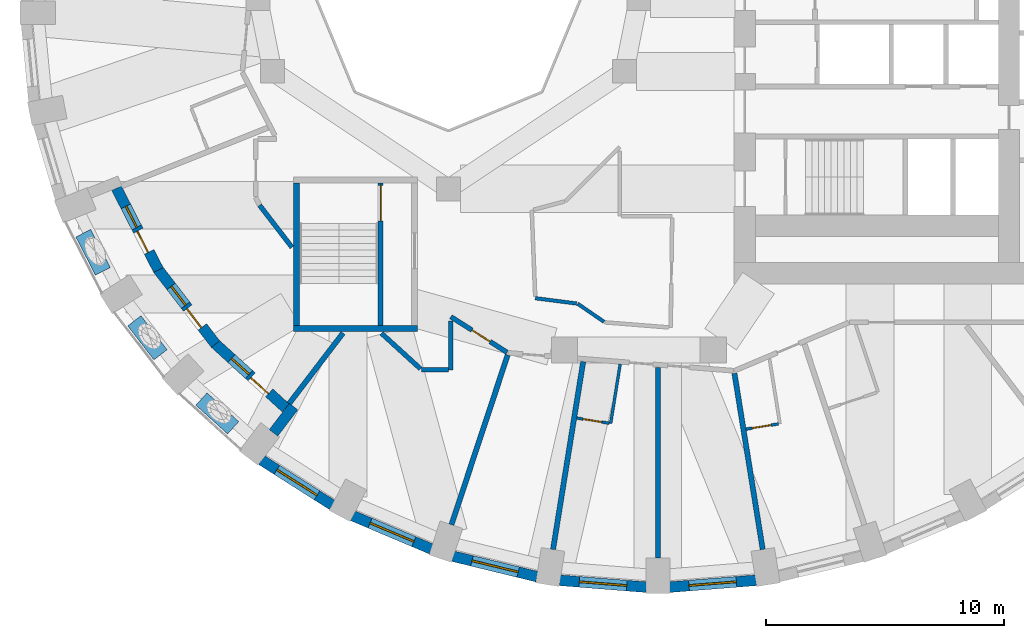
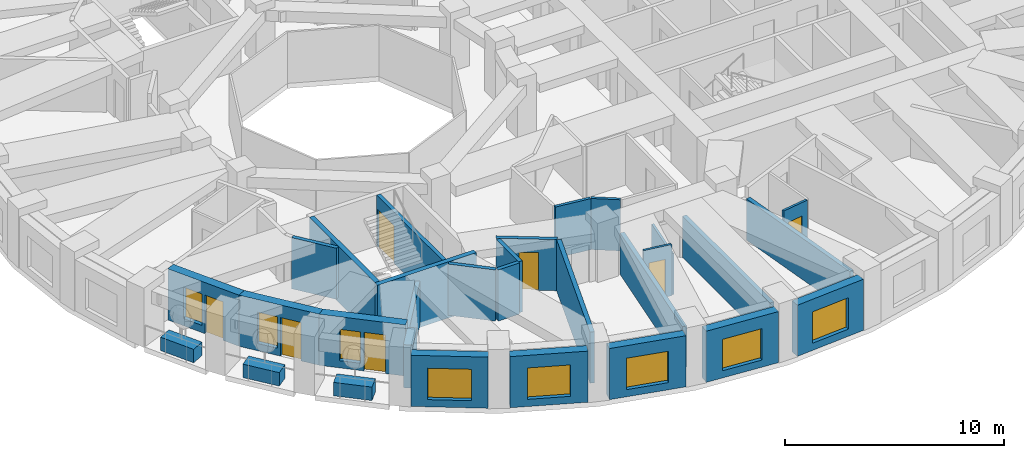
# One storey, part 3 of 12: 30 walls, 8 windows, 7 doors, 15 openings.
"""IFC4 building model written with IfcOpenShell, lengths in metres."""

import ifcopenshell
import ifcopenshell.guid

model = None  # the IFC model being written
_history = None  # IfcOwnerHistory: only IFC2X3 demands one
_inside = {}  # id of a spatial element -> (the spatial element, [elements in it])
_under = {}  # id of a project, library or spatial element -> (it, [spatial elements below it])
_declared = {}  # id of a project -> (the project, [libraries it declares])
_typed = {}  # id of a type object -> (the type object, [elements of that type])
_made_of = {}  # id of a material, layer set ... -> (it, [elements and type objects made of it])


def new_model(schema):
    """Start an empty IFC model of exactly this schema.

    Asked for "IFC4X3", IfcOpenShell would pick the latest addendum, in which some entities
    have other attributes; the version numbers below select the first issue.
    IFC2X3 requires an IfcOwnerHistory on every rooted entity: one is made here for all.
    """
    global model, _history
    if schema == "IFC4X3":
        model = ifcopenshell.file(schema_version=(4, 3, 0, 0))
    else:
        model = ifcopenshell.file(schema=schema)
    _inside.clear()
    _under.clear()
    _declared.clear()
    _typed.clear()
    _made_of.clear()
    _history = None
    if model.schema == "IFC2X3":
        org = make("IfcOrganization", Name="unknown")
        user = make(
            "IfcPersonAndOrganization",
            ThePerson=make("IfcPerson", FamilyName="unknown"),
            TheOrganization=org,
        )
        app = make(
            "IfcApplication",
            ApplicationDeveloper=org,
            Version="unknown",
            ApplicationFullName="unknown",
            ApplicationIdentifier="unknown",
        )
        _history = make(
            "IfcOwnerHistory",
            OwningUser=user,
            OwningApplication=app,
            ChangeAction="ADDED",
            CreationDate=0,
        )
    return model


def make(cls, **values):
    """One entity of the class cls with the attributes given. An attribute that is None is left unset."""
    return model.create_entity(
        cls, **{name: value for name, value in values.items() if value is not None}
    )


def rooted(cls, **values):
    """An entity with a GlobalId (a new one), such as an element, a storey or a relation."""
    return make(cls, GlobalId=ifcopenshell.guid.new(), OwnerHistory=_history, **values)


def si_unit(unit_type, name, prefix=None):
    """IfcSIUnit, for example si_unit("LENGTHUNIT", "METRE", prefix="MILLI")."""
    return make("IfcSIUnit", UnitType=unit_type, Prefix=prefix, Name=name)


def assignment(units):
    """IfcUnitAssignment: the units of a project."""
    return None if units is None else make("IfcUnitAssignment", Units=units)


def point(xyz):
    """IfcCartesianPoint."""
    return None if xyz is None else make("IfcCartesianPoint", Coordinates=xyz)


def direction(xyz):
    """IfcDirection."""
    return None if xyz is None else make("IfcDirection", DirectionRatios=xyz)


def frame(location, z_axis=None, x_axis=None):
    """IfcAxis2Placement3D, a coordinate frame: its origin and axes. An axis left out is left unset."""
    return make(
        "IfcAxis2Placement3D",
        Location=point(location),
        Axis=direction(z_axis),
        RefDirection=direction(x_axis),
    )


def frame_2d(location, x_axis=None):
    """IfcAxis2Placement2D, a coordinate frame in the plane: its origin and x axis."""
    return make(
        "IfcAxis2Placement2D", Location=point(location), RefDirection=direction(x_axis)
    )


def origin():
    """The frame at (0, 0, 0) with its axes left unset."""
    return frame((0.0, 0.0, 0.0))


def place(relative_to, where):
    """IfcLocalPlacement: puts the frame where relative to a parent placement (None: the world)."""
    return make(
        "IfcLocalPlacement", PlacementRelTo=relative_to, RelativePlacement=where
    )


def context(
    kind, dimensions, precision=None, world=None, true_north=None, identifier=None
):
    """IfcGeometricRepresentationContext, for example the 3D "Model" context."""
    return make(
        "IfcGeometricRepresentationContext",
        ContextIdentifier=identifier,
        ContextType=kind,
        CoordinateSpaceDimension=dimensions,
        Precision=precision,
        WorldCoordinateSystem=world,
        TrueNorth=true_north,
    )


def subcontext(parent, identifier, kind, view, scale=None):
    """IfcGeometricRepresentationSubContext, for example "Body" below "Model"."""
    return make(
        "IfcGeometricRepresentationSubContext",
        ContextIdentifier=identifier,
        ContextType=kind,
        ParentContext=parent,
        TargetScale=scale,
        TargetView=view,
    )


def project(units=None, contexts=None):
    """IfcProject with its units and contexts."""
    return rooted(
        "IfcProject",
        Name="project",
        RepresentationContexts=contexts,
        UnitsInContext=assignment(units),
    )


def spatial(cls, under=None, at=None, **own):
    """A site, building, storey or space (cls), placed at a placement, below another one or the project."""
    s = rooted(cls, ObjectPlacement=at, **own)
    if under is not None:
        _under.setdefault(under.id(), (under, []))[1].append(s)
    return s


def profile(cls, at=None, kind="AREA", **sizes):
    """A parametric profile (cls). Its sizes go by their IFC names, for example OverallWidth=200.0."""
    return make(cls, ProfileType=kind, Position=at, **sizes)


def rectangle(**sizes):
    """IfcRectangleProfileDef."""
    return profile("IfcRectangleProfileDef", **sizes)


def extrude(swept, where, along, depth):
    """IfcExtrudedAreaSolid: the profile swept, set in the frame where, extruded along a direction by depth."""
    return make(
        "IfcExtrudedAreaSolid",
        SweptArea=swept,
        Position=where,
        ExtrudedDirection=direction(along),
        Depth=depth,
    )


def shape(context_of_items, identifier, shape_type, items):
    """IfcShapeRepresentation: the items that make up one representation, for example the "Body"."""
    return make(
        "IfcShapeRepresentation",
        ContextOfItems=context_of_items,
        RepresentationIdentifier=identifier,
        RepresentationType=shape_type,
        Items=items,
    )


def material(Name=None, Category=None):
    """IfcMaterial."""
    return make("IfcMaterial", Name=Name, Category=Category)


def layer(
    of_material, thickness, ventilated=None, Name=None, Category=None, Priority=None
):
    """IfcMaterialLayer: one layer of a wall or slab, of a material (None: an air gap)."""
    return make(
        "IfcMaterialLayer",
        Material=of_material,
        LayerThickness=thickness,
        IsVentilated=ventilated,
        Name=Name,
        Category=Category,
        Priority=Priority,
    )


def layer_set(layers, Name=None):
    """IfcMaterialLayerSet."""
    return make("IfcMaterialLayerSet", MaterialLayers=layers, LayerSetName=Name)


def constituent(of_material, Name=None, Category=None, fraction=None):
    """IfcMaterialConstituent: one of the materials an element consists of."""
    return make(
        "IfcMaterialConstituent",
        Name=Name,
        Material=of_material,
        Fraction=fraction,
        Category=Category,
    )


def constituent_set(constituents=None, Name=None):
    """IfcMaterialConstituentSet."""
    return make(
        "IfcMaterialConstituentSet", Name=Name, MaterialConstituents=constituents
    )


def made_of(thing, what):
    """Note that an element or type object is made of a material, layer set ...; save() writes the relation."""
    if what is not None:
        _made_of.setdefault(what.id(), (what, []))[1].append(thing)
    return thing


def type_object(cls, material=None, **own):
    """A type object (cls), such as IfcWallType, which elements share."""
    return made_of(rooted(cls, **own), material)


def element(
    cls,
    number,
    at=None,
    inside=None,
    cuts=None,
    type_object=None,
    material=None,
    context=None,
    identifier="Body",
    shape_type=None,
    held_by="IfcProductDefinitionShape",
    body=None,
    shapes=None,
    **own,
):
    """One element of the class cls, such as IfcWall. Its Tag is "e" and its number.

    at: its placement. inside: the storey or other place that contains it. cuts: it is an
    opening in that element (IfcRelVoidsElement). A single representation is given by context,
    identifier, shape_type and body (its items); several are given by shapes. held_by: the class
    of the entity that holds the representations. save() writes the other relations.
    """
    e = rooted(cls, Tag="e%d" % number, ObjectPlacement=at, **own)
    if body is not None:
        shapes = [shape(context, identifier, shape_type, body)]
    if shapes is not None:
        e.Representation = make(held_by, Representations=shapes)
    if inside is not None:
        _inside.setdefault(inside.id(), (inside, []))[1].append(e)
    if cuts is not None:
        rooted(
            "IfcRelVoidsElement", RelatingBuildingElement=cuts, RelatedOpeningElement=e
        )
    if type_object is not None:
        _typed.setdefault(type_object.id(), (type_object, []))[1].append(e)
    return made_of(e, material)


def fill(opening, filler):
    """IfcRelFillsElement: the door or window that sits in an opening."""
    return rooted(
        "IfcRelFillsElement",
        RelatingOpeningElement=opening,
        RelatedBuildingElement=filler,
    )


def aggregate(whole, parts):
    """IfcRelAggregates: a whole, such as a stair, and the parts it consists of."""
    return rooted("IfcRelAggregates", RelatingObject=whole, RelatedObjects=parts)


def save(model, path):
    """Write the relations noted so far, then the file.

    IfcRelAggregates (storeys below a building ...), IfcRelContainedInSpatialStructure (elements
    in a storey), IfcRelDefinesByType, IfcRelAssociatesMaterial and IfcRelDeclares: one each for
    every whole, place, type object, material and project.
    """
    for whole, parts in _under.values():
        aggregate(whole, parts)
    for where, things in _inside.values():
        rooted(
            "IfcRelContainedInSpatialStructure",
            RelatedElements=things,
            RelatingStructure=where,
        )
    for kind, things in _typed.values():
        rooted("IfcRelDefinesByType", RelatedObjects=things, RelatingType=kind)
    for what, things in _made_of.values():
        rooted("IfcRelAssociatesMaterial", RelatedObjects=things, RelatingMaterial=what)
    for by, libraries in _declared.values():
        rooted("IfcRelDeclares", RelatingContext=by, RelatedDefinitions=libraries)
    model.write(path)


model = new_model("IFC4")

# Units and contexts
model_context = context("Model", 3, precision=1e-05, world=origin(), true_north=direction((0.0, 1.0)))
body_context = subcontext(model_context, "Body", "Model", "MODEL_VIEW")
ifc_project = project(units=[si_unit("LENGTHUNIT", "METRE"), si_unit("AREAUNIT", "SQUARE_METRE"), si_unit("VOLUMEUNIT", "CUBIC_METRE"), si_unit("PLANEANGLEUNIT", "RADIAN"), si_unit("MASSUNIT", "GRAM", prefix="KILO")], contexts=[model_context])

# Site, building, storey
site_placement = place(None, origin())
site = spatial("IfcSite", under=ifc_project, at=site_placement, CompositionType="ELEMENT")
building_placement = place(site_placement, origin())
building = spatial("IfcBuilding", under=site, at=building_placement, Name="Taillehof Tower", CompositionType="ELEMENT")
storey_placement = place(building_placement, frame((0.0, 0.0, 131.800048828125)))
storey = spatial("IfcBuildingStorey", under=building, at=storey_placement, Name="L37", CompositionType="ELEMENT", Elevation=131.800048828125)

# Wall, opening, window
ifc_material_1 = material(Name="Brick masonry", Category="masonry")
ifc_layer_1 = layer(ifc_material_1, 0.449951171875)
ifc_layer_set_1 = layer_set([ifc_layer_1], Name="Brick infill wall 450")
wall_type_1 = type_object("IfcWallType", Name="Brick infill wall 450", PredefinedType="SOLIDWALL", material=ifc_layer_set_1)
wall_1_placement = place(storey_placement, frame((-15.856201171875, -19.39208984375, 0.0), z_axis=(0.0, 0.0, 1.0), x_axis=(0.843891947083, -0.53651317006, 0.0)))
wall_1 = element("IfcWall", 1, at=wall_1_placement, inside=storey, type_object=wall_type_1, Name="Brick wall L37 bay 24", PredefinedType="SOLIDWALL", context=body_context, shape_type="SweptSolid", body=[
    extrude(rectangle(XDim=3.531982421875, YDim=0.449951171875, at=frame_2d((1.76611328125, 0.0))), origin(), (0.0, 0.0, 1.0), 2.849853515625),
])
opening_1_placement = place(wall_1_placement, frame((0.76611328125, 0.0, 0.39990234375)))
opening_1 = element("IfcOpeningElement", 2, at=opening_1_placement, cuts=wall_1, Name="Opening W2", PredefinedType="OPENING", context=body_context, shape_type="SweptSolid", body=[
    extrude(rectangle(XDim=2.0, YDim=1.75, at=frame_2d((1.0, 0.875))), frame((0.0, 0.23486328125, 0.0), z_axis=(0.0, -1.0, 0.0), x_axis=(1.0, 0.0, 0.0)), (0.0, 0.0, 1.0), 0.469970703125),
])
ifc_material_2 = material(Name="Aluminium window frame with clear double glazing", Category="aluminium")
window_type_1 = type_object("IfcWindowType", Name="Deep-set window 2000x1750", PartitioningType="SINGLE_PANEL", PredefinedType="WINDOW", material=ifc_material_2)
window_1_placement = place(opening_1_placement, origin())
window_1 = element("IfcWindow", 3, at=window_1_placement, inside=storey, type_object=window_type_1, Name="W2", OverallHeight=1.75, OverallWidth=2.0, PartitioningType="SINGLE_PANEL", PredefinedType="WINDOW", context=body_context, shape_type="SweptSolid", body=[
    extrude(rectangle(XDim=2.0, YDim=1.75, at=frame_2d((1.0, 0.875))), frame((0.0, 0.034912109375, 0.0), z_axis=(0.0, -1.0, 0.0), x_axis=(1.0, 0.0, 0.0)), (0.0, 0.0, 1.0), 0.06005859375),
])
fill(opening_1, window_1)

wall_2_placement = place(storey_placement, frame((-12.025390625, -21.7333984375, 0.0), z_axis=(0.0, 0.0, 1.0), x_axis=(0.920879975612, -0.389846213932, 0.0)))
wall_2 = element("IfcWall", 4, at=wall_2_placement, inside=storey, type_object=wall_type_1, Name="Brick wall L37 bay 25", PredefinedType="SOLIDWALL", context=body_context, shape_type="SweptSolid", body=[
    extrude(rectangle(XDim=3.591552734375, YDim=0.449951171875, at=frame_2d((1.7958984375, 0.0))), origin(), (0.0, 0.0, 1.0), 2.849853515625),
])
opening_2_placement = place(wall_2_placement, frame((0.795654296875, 0.0, 0.39990234375)))
opening_2 = element("IfcOpeningElement", 5, at=opening_2_placement, cuts=wall_2, Name="Opening W2", PredefinedType="OPENING", context=body_context, shape_type="SweptSolid", body=[
    extrude(rectangle(XDim=2.0, YDim=1.75, at=frame_2d((1.0, 0.875))), frame((0.0, 0.23486328125, 0.0), z_axis=(0.0, -1.0, 0.0), x_axis=(1.0, 0.0, 0.0)), (0.0, 0.0, 1.0), 0.469970703125),
])
window_2_placement = place(opening_2_placement, origin())
window_2 = element("IfcWindow", 6, at=window_2_placement, inside=storey, type_object=window_type_1, Name="W2", OverallHeight=1.75, OverallWidth=2.0, PartitioningType="SINGLE_PANEL", PredefinedType="WINDOW", context=body_context, shape_type="SweptSolid", body=[
    extrude(rectangle(XDim=2.0, YDim=1.75, at=frame_2d((1.0, 0.875))), frame((0.0, 0.034912109375, 0.0), z_axis=(0.0, -1.0, 0.0), x_axis=(1.0, 0.0, 0.0)), (0.0, 0.0, 1.0), 0.06005859375),
])
fill(opening_2, window_2)

wall_3_placement = place(storey_placement, frame((-7.806640625, -23.435302734375, 0.0), z_axis=(0.0, 0.0, 1.0), x_axis=(0.971667603162, -0.236351579148, 0.0)))
wall_3 = element("IfcWall", 7, at=wall_3_placement, inside=storey, type_object=wall_type_1, Name="Brick wall L37 bay 26", PredefinedType="SOLIDWALL", context=body_context, shape_type="SweptSolid", body=[
    extrude(rectangle(XDim=3.635009765625, YDim=0.449951171875, at=frame_2d((1.8173828125, 0.0))), origin(), (0.0, 0.0, 1.0), 2.849853515625),
])
opening_3_placement = place(wall_3_placement, frame((0.8173828125, 0.0, 0.39990234375)))
opening_3 = element("IfcOpeningElement", 8, at=opening_3_placement, cuts=wall_3, Name="Opening W2", PredefinedType="OPENING", context=body_context, shape_type="SweptSolid", body=[
    extrude(rectangle(XDim=2.0, YDim=1.75, at=frame_2d((1.0, 0.875))), frame((0.0, 0.23486328125, 0.0), z_axis=(0.0, -1.0, 0.0), x_axis=(1.0, 0.0, 0.0)), (0.0, 0.0, 1.0), 0.469970703125),
])
window_3_placement = place(opening_3_placement, origin())
window_3 = element("IfcWindow", 9, at=window_3_placement, inside=storey, type_object=window_type_1, Name="W2", OverallHeight=1.75, OverallWidth=2.0, PartitioningType="SINGLE_PANEL", PredefinedType="WINDOW", context=body_context, shape_type="SweptSolid", body=[
    extrude(rectangle(XDim=2.0, YDim=1.75, at=frame_2d((1.0, 0.875))), frame((0.0, 0.034912109375, 0.0), z_axis=(0.0, -1.0, 0.0), x_axis=(1.0, 0.0, 0.0)), (0.0, 0.0, 1.0), 0.06005859375),
])
fill(opening_3, window_3)

wall_4_placement = place(storey_placement, frame((-3.32666015625, -24.446533203125, 0.0), z_axis=(0.0, 0.0, 1.0), x_axis=(0.996862216754, -0.079156306178, 0.0)))
wall_4 = element("IfcWall", 10, at=wall_4_placement, inside=storey, type_object=wall_type_1, Name="Brick wall L37 bay 27", PredefinedType="SOLIDWALL", context=body_context, shape_type="SweptSolid", body=[
    extrude(rectangle(XDim=3.657958984375, YDim=0.449951171875, at=frame_2d((1.8291015625, 0.0))), origin(), (0.0, 0.0, 1.0), 2.849853515625),
])
opening_4_placement = place(wall_4_placement, frame((0.8291015625, 0.0, 0.39990234375)))
opening_4 = element("IfcOpeningElement", 11, at=opening_4_placement, cuts=wall_4, Name="Opening W2", PredefinedType="OPENING", context=body_context, shape_type="SweptSolid", body=[
    extrude(rectangle(XDim=2.0, YDim=1.75, at=frame_2d((1.0, 0.875))), frame((0.0, 0.23486328125, 0.0), z_axis=(0.0, -1.0, 0.0), x_axis=(1.0, 0.0, 0.0)), (0.0, 0.0, 1.0), 0.469970703125),
])
window_4_placement = place(opening_4_placement, origin())
window_4 = element("IfcWindow", 12, at=window_4_placement, inside=storey, type_object=window_type_1, Name="W2", OverallHeight=1.75, OverallWidth=2.0, PartitioningType="SINGLE_PANEL", PredefinedType="WINDOW", context=body_context, shape_type="SweptSolid", body=[
    extrude(rectangle(XDim=2.0, YDim=1.75, at=frame_2d((1.0, 0.875))), frame((0.0, 0.034912109375, 0.0), z_axis=(0.0, -1.0, 0.0), x_axis=(1.0, 0.0, 0.0)), (0.0, 0.0, 1.0), 0.06005859375),
])
fill(opening_4, window_4)

wall_5_placement = place(storey_placement, frame((1.280029296875, -24.736083984375, 0.0), z_axis=(0.0, 0.0, 1.0), x_axis=(0.996862216754, 0.079156306178, 0.0)))
wall_5 = element("IfcWall", 13, at=wall_5_placement, inside=storey, type_object=wall_type_1, Name="Brick wall L37 bay 28", PredefinedType="SOLIDWALL", context=body_context, shape_type="SweptSolid", body=[
    extrude(rectangle(XDim=3.657958984375, YDim=0.449951171875, at=frame_2d((1.8291015625, 0.0))), origin(), (0.0, 0.0, 1.0), 2.849853515625),
])
opening_5_placement = place(wall_5_placement, frame((0.8291015625, 0.0, 0.39990234375)))
opening_5 = element("IfcOpeningElement", 14, at=opening_5_placement, cuts=wall_5, Name="Opening W2", PredefinedType="OPENING", context=body_context, shape_type="SweptSolid", body=[
    extrude(rectangle(XDim=2.0, YDim=1.75, at=frame_2d((1.0, 0.875))), frame((0.0, 0.23486328125, 0.0), z_axis=(0.0, -1.0, 0.0), x_axis=(1.0, 0.0, 0.0)), (0.0, 0.0, 1.0), 0.469970703125),
])
window_5_placement = place(opening_5_placement, origin())
window_5 = element("IfcWindow", 15, at=window_5_placement, inside=storey, type_object=window_type_1, Name="W2", OverallHeight=1.75, OverallWidth=2.0, PartitioningType="SINGLE_PANEL", PredefinedType="WINDOW", context=body_context, shape_type="SweptSolid", body=[
    extrude(rectangle(XDim=2.0, YDim=1.75, at=frame_2d((1.0, 0.875))), frame((0.0, 0.034912109375, 0.0), z_axis=(0.0, -1.0, 0.0), x_axis=(1.0, 0.0, 0.0)), (0.0, 0.0, 1.0), 0.06005859375),
])
fill(opening_5, window_5)

# Wall
wall_6_placement = place(storey_placement, frame((-15.349853515625, -18.252685546875, 0.0), z_axis=(0.0, 0.0, 1.0), x_axis=(0.607026495834, 0.794681592435, 0.0)))
element("IfcWall", 16, at=wall_6_placement, inside=storey, type_object=wall_type_1, Name="Brick reveal L37 pocket 6", PredefinedType="SOLIDWALL", context=body_context, shape_type="SweptSolid", body=[
    extrude(rectangle(XDim=1.390869140625, YDim=0.449951171875, at=frame_2d((0.6953125, 0.0))), origin(), (0.0, 0.0, 1.0), 2.39990234375),
])

# Wall, openings, door, window
wall_7_placement = place(storey_placement, frame((-21.9453125, -7.970458984375, 0.0), z_axis=(0.0, 0.0, 1.0), x_axis=(0.455905146579, -0.89002836883, 0.0)))
wall_7 = element("IfcWall", 17, at=wall_7_placement, inside=storey, type_object=wall_type_1, Name="Brick wall L37 pocket bay 21", PredefinedType="SOLIDWALL", context=body_context, shape_type="SweptSolid", body=[
    extrude(rectangle(XDim=3.866943359375, YDim=0.449951171875, at=frame_2d((1.93359375, 0.0))), origin(), (0.0, 0.0, 1.0), 2.849853515625),
])
opening_6_placement = place(wall_7_placement, frame((0.8583984375, 0.0, 0.39990234375)))
opening_6 = element("IfcOpeningElement", 18, at=opening_6_placement, cuts=wall_7, Name="Opening W5", PredefinedType="OPENING", context=body_context, shape_type="SweptSolid", body=[
    extrude(rectangle(XDim=1.0, YDim=1.75, at=frame_2d((0.5, 0.875))), frame((0.0, 0.23486328125, 0.0), z_axis=(0.0, -1.0, 0.0), x_axis=(1.0, 0.0, 0.0)), (0.0, 0.0, 1.0), 0.469970703125),
])
opening_7_placement = place(wall_7_placement, frame((2.008544921875, 0.0, 0.0)))
opening_7 = element("IfcOpeningElement", 19, at=opening_7_placement, cuts=wall_7, Name="Opening D3794", PredefinedType="OPENING", context=body_context, shape_type="SweptSolid", body=[
    extrude(rectangle(XDim=1.0, YDim=2.14990234375, at=frame_2d((0.5, 1.074951171875))), frame((0.0, 0.23486328125, 0.0), z_axis=(0.0, -1.0, 0.0), x_axis=(1.0, 0.0, 0.0)), (0.0, 0.0, 1.0), 0.469970703125),
])
ifc_material_3 = material(Name="Aluminium door frame with clear double glazing", Category="aluminium")
door_type_1 = type_object("IfcDoorType", Name="Balcony door 1000x2150", OperationType="SINGLE_SWING_RIGHT", PredefinedType="DOOR", material=ifc_material_3)
door_1_placement = place(opening_7_placement, frame((1.0, 0.0, 0.0), z_axis=(0.0, 0.0, 1.0), x_axis=(-1.0, 0.0, 0.0)))
door_1 = element("IfcDoor", 20, at=door_1_placement, inside=storey, type_object=door_type_1, Name="Balcony door L37 bay 21", OperationType="SINGLE_SWING_RIGHT", OverallHeight=2.14990234375, OverallWidth=1.0, PredefinedType="DOOR", context=body_context, shape_type="SweptSolid", body=[
    extrude(rectangle(XDim=1.0, YDim=2.14990234375, at=frame_2d((0.5, 1.074951171875))), frame((0.0, 0.0751953125, 0.0), z_axis=(0.0, -1.0, 0.0), x_axis=(1.0, 0.0, 0.0)), (0.0, 0.0, 1.0), 0.050048828125),
])
fill(opening_7, door_1)
ifc_material_4 = material(Name="Aluminium window frame with clear double glazing", Category="aluminium")
window_type_2 = type_object("IfcWindowType", Name="Fixed window 1000x1750", PartitioningType="SINGLE_PANEL", PredefinedType="WINDOW", material=ifc_material_4)
window_6_placement = place(opening_6_placement, origin())
window_6 = element("IfcWindow", 21, at=window_6_placement, inside=storey, type_object=window_type_2, Name="W5", OverallHeight=1.75, OverallWidth=1.0, PartitioningType="SINGLE_PANEL", PredefinedType="WINDOW", context=body_context, shape_type="SweptSolid", body=[
    extrude(rectangle(XDim=1.0, YDim=1.75, at=frame_2d((0.5, 0.875))), frame((0.0, 0.034912109375, 0.0), z_axis=(0.0, -1.0, 0.0), x_axis=(1.0, 0.0, 0.0)), (0.0, 0.0, 1.0), 0.06005859375),
])
fill(opening_6, window_6)

wall_8_placement = place(storey_placement, frame((-20.204345703125, -11.37744140625, 0.0), z_axis=(0.0, 0.0, 1.0), x_axis=(0.609698858135, -0.792633144897, 0.0)))
wall_8 = element("IfcWall", 22, at=wall_8_placement, inside=storey, type_object=wall_type_1, Name="Brick wall L37 pocket bay 22", PredefinedType="SOLIDWALL", context=body_context, shape_type="SweptSolid", body=[
    extrude(rectangle(XDim=3.965087890625, YDim=0.449951171875, at=frame_2d((1.982421875, 0.0))), origin(), (0.0, 0.0, 1.0), 2.849853515625),
])
opening_8_placement = place(wall_8_placement, frame((0.907470703125, 0.0, 0.39990234375)))
opening_8 = element("IfcOpeningElement", 23, at=opening_8_placement, cuts=wall_8, Name="Opening W5", PredefinedType="OPENING", context=body_context, shape_type="SweptSolid", body=[
    extrude(rectangle(XDim=1.0, YDim=1.75, at=frame_2d((0.5, 0.875))), frame((0.0, 0.23486328125, 0.0), z_axis=(0.0, -1.0, 0.0), x_axis=(1.0, 0.0, 0.0)), (0.0, 0.0, 1.0), 0.469970703125),
])
opening_9_placement = place(wall_8_placement, frame((2.0576171875, 0.0, 0.0)))
opening_9 = element("IfcOpeningElement", 24, at=opening_9_placement, cuts=wall_8, Name="Opening D3795", PredefinedType="OPENING", context=body_context, shape_type="SweptSolid", body=[
    extrude(rectangle(XDim=1.0, YDim=2.14990234375, at=frame_2d((0.5, 1.074951171875))), frame((0.0, 0.23486328125, 0.0), z_axis=(0.0, -1.0, 0.0), x_axis=(1.0, 0.0, 0.0)), (0.0, 0.0, 1.0), 0.469970703125),
])
door_2_placement = place(opening_9_placement, frame((1.0, 0.0, 0.0), z_axis=(0.0, 0.0, 1.0), x_axis=(-1.0, 0.0, 0.0)))
door_2 = element("IfcDoor", 25, at=door_2_placement, inside=storey, type_object=door_type_1, Name="Balcony door L37 bay 22", OperationType="SINGLE_SWING_LEFT", OverallHeight=2.14990234375, OverallWidth=1.0, PredefinedType="DOOR", context=body_context, shape_type="SweptSolid", body=[
    extrude(rectangle(XDim=1.0, YDim=2.14990234375, at=frame_2d((0.5, 1.074951171875))), frame((0.0, 0.0751953125, 0.0), z_axis=(0.0, -1.0, 0.0), x_axis=(1.0, 0.0, 0.0)), (0.0, 0.0, 1.0), 0.050048828125),
])
fill(opening_9, door_2)
window_7_placement = place(opening_8_placement, origin())
window_7 = element("IfcWindow", 26, at=window_7_placement, inside=storey, type_object=window_type_2, Name="W5", OverallHeight=1.75, OverallWidth=1.0, PartitioningType="SINGLE_PANEL", PredefinedType="WINDOW", context=body_context, shape_type="SweptSolid", body=[
    extrude(rectangle(XDim=1.0, YDim=1.75, at=frame_2d((0.5, 0.875))), frame((0.0, 0.034912109375, 0.0), z_axis=(0.0, -1.0, 0.0), x_axis=(1.0, 0.0, 0.0)), (0.0, 0.0, 1.0), 0.06005859375),
])
fill(opening_8, window_7)

wall_9_placement = place(storey_placement, frame((-17.813720703125, -14.4912109375, 0.0), z_axis=(0.0, 0.0, 1.0), x_axis=(0.73951517403, -0.673139886933, 0.0)))
wall_9 = element("IfcWall", 27, at=wall_9_placement, inside=storey, type_object=wall_type_1, Name="Brick wall L37 pocket bay 23", PredefinedType="SOLIDWALL", context=body_context, shape_type="SweptSolid", body=[
    extrude(rectangle(XDim=4.03125, YDim=0.449951171875, at=frame_2d((2.015625, 0.0))), origin(), (0.0, 0.0, 1.0), 2.849853515625),
])
opening_10_placement = place(wall_9_placement, frame((0.940673828125, 0.0, 0.39990234375)))
opening_10 = element("IfcOpeningElement", 28, at=opening_10_placement, cuts=wall_9, Name="Opening W5", PredefinedType="OPENING", context=body_context, shape_type="SweptSolid", body=[
    extrude(rectangle(XDim=1.0, YDim=1.75, at=frame_2d((0.5, 0.875))), frame((0.0, 0.23486328125, 0.0), z_axis=(0.0, -1.0, 0.0), x_axis=(1.0, 0.0, 0.0)), (0.0, 0.0, 1.0), 0.469970703125),
])
opening_11_placement = place(wall_9_placement, frame((2.090576171875, 0.0, 0.0)))
opening_11 = element("IfcOpeningElement", 29, at=opening_11_placement, cuts=wall_9, Name="Opening D3796", PredefinedType="OPENING", context=body_context, shape_type="SweptSolid", body=[
    extrude(rectangle(XDim=1.0, YDim=2.14990234375, at=frame_2d((0.5, 1.074951171875))), frame((0.0, 0.23486328125, 0.0), z_axis=(0.0, -1.0, 0.0), x_axis=(1.0, 0.0, 0.0)), (0.0, 0.0, 1.0), 0.469970703125),
])
door_3_placement = place(opening_11_placement, frame((1.0, 0.0, 0.0), z_axis=(0.0, 0.0, 1.0), x_axis=(-1.0, 0.0, 0.0)))
door_3 = element("IfcDoor", 30, at=door_3_placement, inside=storey, type_object=door_type_1, Name="Balcony door L37 bay 23", OperationType="SINGLE_SWING_LEFT", OverallHeight=2.14990234375, OverallWidth=1.0, PredefinedType="DOOR", context=body_context, shape_type="SweptSolid", body=[
    extrude(rectangle(XDim=1.0, YDim=2.14990234375, at=frame_2d((0.5, 1.074951171875))), frame((0.0, 0.0751953125, 0.0), z_axis=(0.0, -1.0, 0.0), x_axis=(1.0, 0.0, 0.0)), (0.0, 0.0, 1.0), 0.050048828125),
])
fill(opening_11, door_3)
window_8_placement = place(opening_10_placement, origin())
window_8 = element("IfcWindow", 31, at=window_8_placement, inside=storey, type_object=window_type_2, Name="W5", OverallHeight=1.75, OverallWidth=1.0, PartitioningType="SINGLE_PANEL", PredefinedType="WINDOW", context=body_context, shape_type="SweptSolid", body=[
    extrude(rectangle(XDim=1.0, YDim=1.75, at=frame_2d((0.5, 0.875))), frame((0.0, 0.034912109375, 0.0), z_axis=(0.0, -1.0, 0.0), x_axis=(1.0, 0.0, 0.0)), (0.0, 0.0, 1.0), 0.06005859375),
])
fill(opening_10, window_8)

# Wall
ifc_material_5 = material(Name="Gypsum board on steel studs, two layers each side", Category="steel")
ifc_layer_2 = layer(ifc_material_5, 0.199951171875)
ifc_layer_set_2 = layer_set([ifc_layer_2], Name="Compartment wall corridor 200")
wall_type_2 = type_object("IfcWallType", Name="Compartment wall corridor 200", PredefinedType="PARTITIONING", material=ifc_layer_set_2)
wall_10_placement = place(storey_placement, frame((-14.573486328125, -10.4560546875, 0.0), z_axis=(0.0, 0.0, 1.0), x_axis=(-0.60967360535, 0.792652568872, 0.0)))
element("IfcWall", 32, at=wall_10_placement, inside=storey, type_object=wall_type_2, Name="Compartment wall", PredefinedType="PARTITIONING", context=body_context, shape_type="SweptSolid", body=[
    extrude(rectangle(XDim=2.222900390625, YDim=0.199951171875, at=frame_2d((1.111328125, 0.0))), origin(), (0.0, 0.0, 1.0), 2.849853515625),
])

# Wall, opening, door
wall_11_placement = place(storey_placement, frame((-5.537353515625, -14.868896484375, 0.0), z_axis=(0.0, 0.0, 1.0), x_axis=(-0.844770404655, 0.535128922242, 0.0)))
wall_11 = element("IfcWall", 33, at=wall_11_placement, inside=storey, type_object=wall_type_2, Name="Compartment wall", PredefinedType="PARTITIONING", context=body_context, shape_type="SweptSolid", body=[
    extrude(rectangle(XDim=2.796630859375, YDim=0.199951171875, at=frame_2d((1.3984375, 0.0))), origin(), (0.0, 0.0, 1.0), 2.849853515625),
])
opening_12_placement = place(wall_11_placement, frame((0.84423828125, 0.0, 0.0)))
opening_12 = element("IfcOpeningElement", 34, at=opening_12_placement, cuts=wall_11, Name="Opening D3755", PredefinedType="OPENING", context=body_context, shape_type="SweptSolid", body=[
    extrude(rectangle(XDim=0.89990234375, YDim=2.10009765625, at=frame_2d((0.449951171875, 1.050048828125))), frame((0.0, 0.10986328125, 0.0), z_axis=(0.0, -1.0, 0.0), x_axis=(1.0, 0.0, 0.0)), (0.0, 0.0, 1.0), 0.219970703125),
])
ifc_material_6 = material(Name="Timber door leaf in steel frame", Category="steel")
door_type_2 = type_object("IfcDoorType", Name="Service room door EI 30 900 x 2100", OperationType="SINGLE_SWING_LEFT", PredefinedType="DOOR", material=ifc_material_6)
door_4_placement = place(opening_12_placement, origin())
door_4 = element("IfcDoor", 35, at=door_4_placement, inside=storey, type_object=door_type_2, Name="D3755", OperationType="SINGLE_SWING_RIGHT", OverallHeight=2.10009765625, OverallWidth=0.89990234375, PredefinedType="DOOR", context=body_context, shape_type="SweptSolid", body=[
    extrude(rectangle(XDim=0.89990234375, YDim=2.10009765625, at=frame_2d((0.449951171875, 1.050048828125))), frame((0.0, 0.02490234375, 0.0), z_axis=(0.0, -1.0, 0.0), x_axis=(1.0, 0.0, 0.0)), (0.0, 0.0, 1.0), 0.050048828125),
])
fill(opening_12, door_4)

# Walls
wall_12_placement = place(storey_placement, frame((-7.89990234375, -13.552490234375, 0.0), z_axis=(0.0, 0.0, 1.0), x_axis=(0.0, -1.0, 0.0)))
element("IfcWall", 36, at=wall_12_placement, inside=storey, type_object=wall_type_2, Name="Compartment wall", PredefinedType="PARTITIONING", context=body_context, shape_type="SweptSolid", body=[
    extrude(rectangle(XDim=2.047607421875, YDim=0.199951171875, at=frame_2d((1.02392578125, 0.0))), origin(), (0.0, 0.0, 1.0), 2.849853515625),
])
wall_13_placement = place(storey_placement, frame((-8.0, -15.60009765625, 0.0), z_axis=(0.0, 0.0, 1.0), x_axis=(-1.0, 0.0, 0.0)))
element("IfcWall", 37, at=wall_13_placement, inside=storey, type_object=wall_type_2, Name="Compartment wall", PredefinedType="PARTITIONING", context=body_context, shape_type="SweptSolid", body=[
    extrude(rectangle(XDim=1.130859375, YDim=0.199951171875, at=frame_2d((0.5654296875, 0.0))), origin(), (0.0, 0.0, 1.0), 2.849853515625),
])
wall_14_placement = place(storey_placement, frame((-9.175537109375, -15.559814453125, 0.0), z_axis=(0.0, 0.0, 1.0), x_axis=(-0.73943556447, 0.673227336044, 0.0)))
element("IfcWall", 38, at=wall_14_placement, inside=storey, type_object=wall_type_2, Name="Compartment wall", PredefinedType="PARTITIONING", context=body_context, shape_type="SweptSolid", body=[
    extrude(rectangle(XDim=2.21240234375, YDim=0.199951171875, at=frame_2d((1.106201171875, 0.0))), origin(), (0.0, 0.0, 1.0), 2.849853515625),
])
ifc_material_7 = material(Name="Gypsum board on double steel studs with mineral wool", Category="steel")
ifc_layer_3 = layer(ifc_material_7, 0.219970703125)
ifc_layer_set_3 = layer_set([ifc_layer_3], Name="Compartment wall guest room 220")
wall_type_3 = type_object("IfcWallType", Name="Compartment wall guest room 220", PredefinedType="PARTITIONING", material=ifc_layer_set_3)
wall_15_placement = place(storey_placement, frame((-14.695556640625, -17.025390625, 0.0), z_axis=(0.0, 0.0, 1.0), x_axis=(0.607059278405, 0.794656550028, 0.0)))
element("IfcWall", 39, at=wall_15_placement, inside=storey, type_object=wall_type_3, Name="Compartment wall", PredefinedType="PARTITIONING", context=body_context, shape_type="SweptSolid", body=[
    extrude(rectangle(XDim=3.733642578125, YDim=0.219970703125, at=frame_2d((1.86669921875, 0.0))), origin(), (0.0, 0.0, 1.0), 2.39990234375),
])
wall_16_placement = place(storey_placement, frame((-7.873779296875, -22.11181640625, 0.0), z_axis=(0.0, 0.0, 1.0), x_axis=(0.314559895628, 0.949237626763, 0.0)))
element("IfcWall", 40, at=wall_16_placement, inside=storey, type_object=wall_type_3, Name="Compartment wall", PredefinedType="PARTITIONING", context=body_context, shape_type="SweptSolid", body=[
    extrude(rectangle(XDim=7.511474609375, YDim=0.219970703125, at=frame_2d((3.755859375, 0.0))), origin(), (0.0, 0.0, 1.0), 2.849853515625),
])
for number, where, z_axis, x_axis, name in (
    (41, (-3.604736328125, -23.150146484375, 0.0), (0.0, 0.0, 1.0), (0.158529156038, 0.987354296434, 0.0), "Compartment wall"),
    (42, (0.800048828125, -23.5, 0.0), (0.0, 0.0, 1.0), (0.0, 1.0, 0.0), "Compartment wall"),
):
    element("IfcWall", number, at=place(storey_placement, frame(where, z_axis=z_axis, x_axis=x_axis)), inside=storey, type_object=wall_type_3, Name=name, PredefinedType="PARTITIONING", context=body_context, shape_type="SweptSolid", body=[
        extrude(rectangle(XDim=7.98974609375, YDim=0.219970703125, at=frame_2d((3.994873046875, 0.0))), origin(), (0.0, 0.0, 1.0), 2.300048828125),
    ])
wall_17_placement = place(storey_placement, frame((5.20458984375, -23.150146484375, 0.0), z_axis=(0.0, 0.0, 1.0), x_axis=(-0.15850394357, 0.987358344206, 0.0)))
element("IfcWall", 43, at=wall_17_placement, inside=storey, type_object=wall_type_3, Name="Compartment wall", PredefinedType="PARTITIONING", context=body_context, shape_type="SweptSolid", body=[
    extrude(rectangle(XDim=7.491943359375, YDim=0.219970703125, at=frame_2d((3.74609375, 0.0))), origin(), (0.0, 0.0, 1.0), 2.300048828125),
])
ifc_material_8 = material(Name="Gypsum board on steel studs, two layers each side", Category="steel")
ifc_layer_4 = layer(ifc_material_8, 0.14990234375)
ifc_layer_set_4 = layer_set([ifc_layer_4], Name="Compartment wall service room 150")
wall_type_4 = type_object("IfcWallType", Name="Compartment wall service room 150", PredefinedType="PARTITIONING", material=ifc_layer_set_4)
wall_18_placement = place(storey_placement, frame((-1.463134765625, -13.585693359375, 0.0), z_axis=(0.0, 0.0, 1.0), x_axis=(-0.82445873192, 0.565922078878, 0.0)))
element("IfcWall", 44, at=wall_18_placement, inside=storey, type_object=wall_type_4, Name="Compartment wall", PredefinedType="PARTITIONING", context=body_context, shape_type="SweptSolid", body=[
    extrude(rectangle(XDim=1.349365234375, YDim=0.14990234375, at=frame_2d((0.6748046875, 0.0))), origin(), (0.0, 0.0, 1.0), 2.849853515625),
])
wall_19_placement = place(storey_placement, frame((-2.615234375, -12.817138671875, 0.0), z_axis=(0.0, 0.0, 1.0), x_axis=(-0.991812078881, 0.127705912884, 0.0)))
element("IfcWall", 45, at=wall_19_placement, inside=storey, type_object=wall_type_4, Name="Compartment wall", PredefinedType="PARTITIONING", context=body_context, shape_type="SweptSolid", body=[
    extrude(rectangle(XDim=1.751220703125, YDim=0.14990234375, at=frame_2d((0.87548828125, 0.0))), origin(), (0.0, 0.0, 1.0), 2.849853515625),
])
ifc_material_9 = material(Name="Gypsum board on steel studs, moisture resistant", Category="steel")
ifc_layer_5 = layer(ifc_material_9, 0.1201171875)
ifc_layer_set_5 = layer_set([ifc_layer_5], Name="En-suite wall 120")
wall_type_5 = type_object("IfcWallType", Name="En-suite wall 120", PredefinedType="PARTITIONING", material=ifc_layer_set_5)
wall_20_placement = place(storey_placement, frame((-0.784912109375, -15.364501953125, 0.0), z_axis=(0.0, 0.0, 1.0), x_axis=(-0.158514788195, -0.987356603221, 0.0)))
element("IfcWall", 46, at=wall_20_placement, inside=storey, type_object=wall_type_5, Name="En-suite wall", PredefinedType="PARTITIONING", context=body_context, shape_type="SweptSolid", body=[
    extrude(rectangle(XDim=2.5244140625, YDim=0.1201171875, at=frame_2d((1.26220703125, 0.0))), origin(), (0.0, 0.0, 1.0), 2.300048828125),
])

# Wall, opening, door
wall_21_placement = place(storey_placement, frame((-1.244384765625, -17.847412109375, 0.0), z_axis=(0.0, 0.0, 1.0), x_axis=(-0.987324430422, 0.158715056288, 0.0)))
wall_21 = element("IfcWall", 47, at=wall_21_placement, inside=storey, type_object=wall_type_5, Name="En-suite wall", PredefinedType="PARTITIONING", context=body_context, shape_type="SweptSolid", body=[
    extrude(rectangle(XDim=1.3798828125, YDim=0.1201171875, at=frame_2d((0.68994140625, 0.0))), origin(), (0.0, 0.0, 1.0), 2.849853515625),
])
opening_13_placement = place(wall_21_placement, frame((0.31494140625, 0.0, 0.0)))
opening_13 = element("IfcOpeningElement", 48, at=opening_13_placement, cuts=wall_21, Name="Opening D3758", PredefinedType="OPENING", context=body_context, shape_type="SweptSolid", body=[
    extrude(rectangle(XDim=0.800048828125, YDim=2.10009765625, at=frame_2d((0.39990234375, 1.050048828125))), frame((0.0, 0.070068359375, 0.0), z_axis=(0.0, -1.0, 0.0), x_axis=(1.0, 0.0, 0.0)), (0.0, 0.0, 1.0), 0.14013671875),
])
ifc_material_10 = material(Name="Timber door leaf in steel frame", Category="steel")
door_type_3 = type_object("IfcDoorType", Name="En-suite door 800 x 2100", OperationType="SINGLE_SWING_LEFT", PredefinedType="DOOR", material=ifc_material_10)
door_5_placement = place(opening_13_placement, origin())
door_5 = element("IfcDoor", 49, at=door_5_placement, inside=storey, type_object=door_type_3, Name="D3758", OperationType="SINGLE_SWING_RIGHT", OverallHeight=2.10009765625, OverallWidth=0.800048828125, PredefinedType="DOOR", context=body_context, shape_type="SweptSolid", body=[
    extrude(rectangle(XDim=0.800048828125, YDim=2.10009765625, at=frame_2d((0.39990234375, 1.050048828125))), frame((0.0, 0.02490234375, 0.0), z_axis=(0.0, -1.0, 0.0), x_axis=(1.0, 0.0, 0.0)), (0.0, 0.0, 1.0), 0.050048828125),
])
fill(opening_13, door_5)

wall_22_placement = place(storey_placement, frame((5.866943359375, -17.875732421875, 0.0), z_axis=(0.0, 0.0, 1.0), x_axis=(-0.98735658966, -0.158514872664, 0.0)))
wall_22 = element("IfcWall", 50, at=wall_22_placement, inside=storey, type_object=wall_type_5, Name="En-suite wall", PredefinedType="PARTITIONING", context=body_context, shape_type="SweptSolid", body=[
    extrude(rectangle(XDim=1.3798828125, YDim=0.1201171875, at=frame_2d((0.68994140625, 0.0))), origin(), (0.0, 0.0, 1.0), 2.849853515625),
])
opening_14_placement = place(wall_22_placement, frame((0.31494140625, 0.0, 0.0)))
opening_14 = element("IfcOpeningElement", 51, at=opening_14_placement, cuts=wall_22, Name="Opening D3761", PredefinedType="OPENING", context=body_context, shape_type="SweptSolid", body=[
    extrude(rectangle(XDim=0.800048828125, YDim=2.10009765625, at=frame_2d((0.39990234375, 1.050048828125))), frame((0.0, 0.070068359375, 0.0), z_axis=(0.0, -1.0, 0.0), x_axis=(1.0, 0.0, 0.0)), (0.0, 0.0, 1.0), 0.14013671875),
])
door_6_placement = place(opening_14_placement, origin())
door_6 = element("IfcDoor", 52, at=door_6_placement, inside=storey, type_object=door_type_3, Name="D3761", OperationType="SINGLE_SWING_RIGHT", OverallHeight=2.10009765625, OverallWidth=0.800048828125, PredefinedType="DOOR", context=body_context, shape_type="SweptSolid", body=[
    extrude(rectangle(XDim=0.800048828125, YDim=2.10009765625, at=frame_2d((0.39990234375, 1.050048828125))), frame((0.0, 0.02490234375, 0.0), z_axis=(0.0, -1.0, 0.0), x_axis=(1.0, 0.0, 0.0)), (0.0, 0.0, 1.0), 0.050048828125),
])
fill(opening_14, door_6)

# Walls
ifc_material_11 = material(Name="Concrete C30/37 precast", Category="concrete")
ifc_constituent_1 = constituent(ifc_material_11, Name="Structure", Category="concrete")
ifc_material_12 = material(Name="Insulated lining")
ifc_constituent_2 = constituent(ifc_material_12, Name="Lining")
ifc_constituent_set = constituent_set(constituents=[ifc_constituent_1, ifc_constituent_2], Name="Planter trough 700x750")
wall_type_6 = type_object("IfcWallType", Name="Planter trough 700x750", PredefinedType="USERDEFINED", material=ifc_constituent_set)
wall_23_placement = place(storey_placement, frame((-23.341796875, -9.863525390625, 0.0), z_axis=(0.0, 0.0, 1.0), x_axis=(0.456845298981, -0.88954616114, 0.0)))
element("IfcWall", 53, at=wall_23_placement, inside=storey, type_object=wall_type_6, Name="Planter L37 bay 21", ObjectType="PLANTER", PredefinedType="USERDEFINED", context=body_context, shape_type="SweptSolid", body=[
    extrude(rectangle(XDim=1.7998046875, YDim=0.699951171875, at=frame_2d((0.89990234375, 0.0))), origin(), (0.0, 0.0, 1.0), 0.75),
])
wall_24_placement = place(storey_placement, frame((-21.19580078125, -13.54443359375, 0.0), z_axis=(0.0, 0.0, 1.0), x_axis=(0.610686846919, -0.791872196127, 0.0)))
element("IfcWall", 54, at=wall_24_placement, inside=storey, type_object=wall_type_6, Name="Planter L37 bay 22", ObjectType="PLANTER", PredefinedType="USERDEFINED", context=body_context, shape_type="SweptSolid", body=[
    extrude(rectangle(XDim=1.80029296875, YDim=0.699951171875, at=frame_2d((0.900146484375, 0.0))), origin(), (0.0, 0.0, 1.0), 0.75),
])
wall_25_placement = place(storey_placement, frame((-18.376708984375, -16.8291015625, 0.0), z_axis=(0.0, 0.0, 1.0), x_axis=(0.740332755969, -0.6722405897, 0.0)))
element("IfcWall", 55, at=wall_25_placement, inside=storey, type_object=wall_type_6, Name="Planter L37 bay 23", ObjectType="PLANTER", PredefinedType="USERDEFINED", context=body_context, shape_type="SweptSolid", body=[
    extrude(rectangle(XDim=1.7998046875, YDim=0.699951171875, at=frame_2d((0.89990234375, 0.0))), origin(), (0.0, 0.0, 1.0), 0.75),
])

# Wall, opening, door
ifc_material_13 = material(Name="Concrete C50/60", Category="concrete")
ifc_layer_6 = layer(ifc_material_13, 0.199951171875)
ifc_layer_set_6 = layer_set([ifc_layer_6], Name="Shaft wall C50/60 200")
wall_type_7 = type_object("IfcWallType", Name="Shaft wall C50/60 200", PredefinedType="SHEAR", material=ifc_layer_set_6)
wall_26_placement = place(storey_placement, frame((-10.85009765625, -13.75, 0.0), z_axis=(0.0, 0.0, 1.0), x_axis=(0.0, 1.0, 0.0)))
wall_26 = element("IfcWall", 56, at=wall_26_placement, inside=storey, type_object=wall_type_7, Name="Shaft wall SW", PredefinedType="SHEAR", context=body_context, shape_type="SweptSolid", body=[
    extrude(rectangle(XDim=6.0, YDim=0.199951171875, at=frame_2d((3.0, 0.0))), origin(), (0.0, 0.0, 1.0), 2.849853515625),
])
opening_15_placement = place(wall_26_placement, frame((4.39990234375, 0.0, 0.0)))
opening_15 = element("IfcOpeningElement", 57, at=opening_15_placement, cuts=wall_26, Name="Opening D3713", PredefinedType="OPENING", context=body_context, shape_type="SweptSolid", body=[
    extrude(rectangle(XDim=1.5, YDim=2.10009765625, at=frame_2d((0.75, 1.050048828125))), frame((0.0, 0.10986328125, 0.0), z_axis=(0.0, -1.0, 0.0), x_axis=(1.0, 0.0, 0.0)), (0.0, 0.0, 1.0), 0.219970703125),
])
ifc_material_14 = material(Name="Steel-faced fire door", Category="steel")
door_type_4 = type_object("IfcDoorType", Name="Stair door 1500x2100", OperationType="DOUBLE_DOOR_SINGLE_SWING", PredefinedType="DOOR", material=ifc_material_14)
door_7_placement = place(opening_15_placement, origin())
door_7 = element("IfcDoor", 58, at=door_7_placement, inside=storey, type_object=door_type_4, Name="Stair lobby door S4", OperationType="DOUBLE_DOOR_SINGLE_SWING", OverallHeight=2.10009765625, OverallWidth=1.5, PredefinedType="DOOR", context=body_context, shape_type="SweptSolid", body=[
    extrude(rectangle(XDim=1.5, YDim=2.10009765625, at=frame_2d((0.75, 1.050048828125))), frame((0.0, 0.02490234375, 0.0), z_axis=(0.0, -1.0, 0.0), x_axis=(1.0, 0.0, 0.0)), (0.0, 0.0, 1.0), 0.050048828125),
])
fill(opening_15, door_7)

# Walls
ifc_material_15 = material(Name="Concrete C50/60", Category="concrete")
ifc_layer_7 = layer(ifc_material_15, 0.25)
ifc_layer_set_7 = layer_set([ifc_layer_7], Name="Stair wall C50/60 250")
wall_type_8 = type_object("IfcWallType", Name="Stair wall C50/60 250", PredefinedType="SHEAR", material=ifc_layer_set_7)
wall_27_placement = place(storey_placement, frame((-14.375, -13.75, -0.280029296875), z_axis=(0.0, 0.0, 1.0), x_axis=(0.0, 1.0, 0.0)))
element("IfcWall", 59, at=wall_27_placement, inside=storey, type_object=wall_type_8, Name="Stair wall SC", PredefinedType="SHEAR", context=body_context, shape_type="SweptSolid", body=[
    extrude(rectangle(XDim=6.0, YDim=0.25, at=frame_2d((3.0, 0.0))), origin(), (0.0, 0.0, 1.0), 3.1298828125),
])
wall_28_placement = place(storey_placement, frame((-14.5, -13.875, -0.280029296875), z_axis=(0.0, 0.0, 1.0), x_axis=(1.0, 0.0, 0.0)))
element("IfcWall", 60, at=wall_28_placement, inside=storey, type_object=wall_type_8, Name="Stair wall SC", PredefinedType="SHEAR", context=body_context, shape_type="SweptSolid", body=[
    extrude(rectangle(XDim=5.199951171875, YDim=0.25, at=frame_2d((2.60009765625, 0.0))), origin(), (0.0, 0.0, 1.0), 3.1298828125),
])

save(model, "model.ifc")
